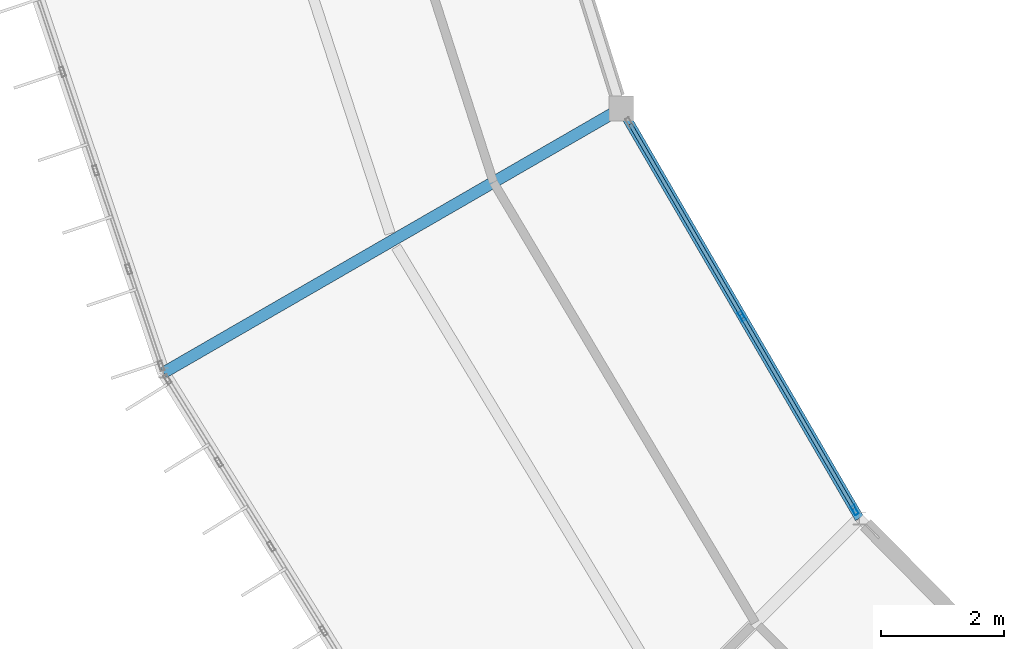
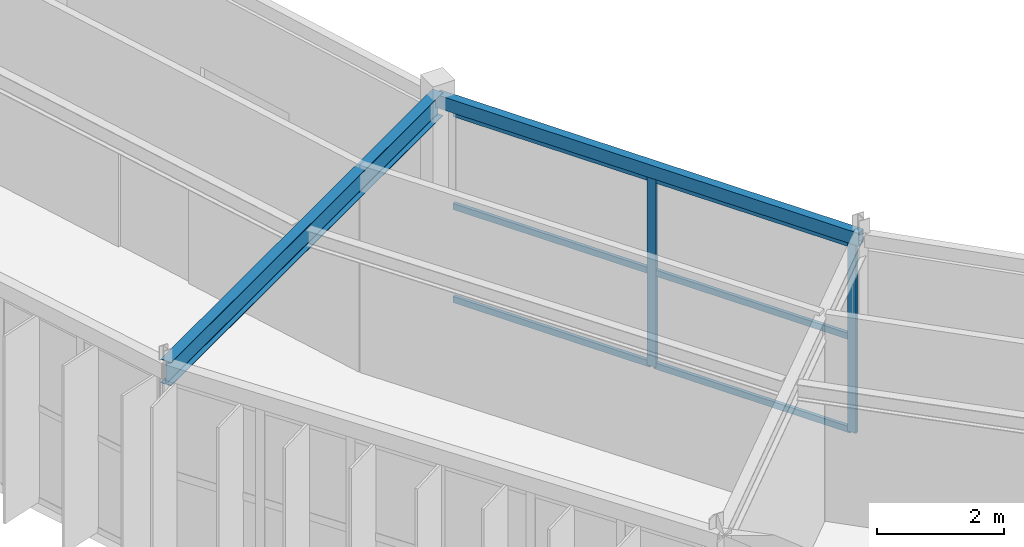
# One storey, part 25 of 130: 8 members, 2 beams, 1 element without a shape of its own.
"""IFC4 building model written with IfcOpenShell, lengths in metres."""

from ifc_helpers import new_model, si_unit, direction, frame, origin, origin_2d, place, context, subcontext, project, spatial, hollow_rectangle, i_section, extrude, material, material_profile, profile_set, type_object, element, aggregate, save


model = new_model("IFC4")

# Units and contexts
model_context = context("Model", 3, precision=1e-05, world=origin(), true_north=direction((0.0, 1.0)))
body_context = subcontext(model_context, "Body", "Model", "MODEL_VIEW")
ifc_project = project(units=[si_unit("LENGTHUNIT", "METRE"), si_unit("AREAUNIT", "SQUARE_METRE"), si_unit("VOLUMEUNIT", "CUBIC_METRE"), si_unit("PLANEANGLEUNIT", "RADIAN"), si_unit("MASSUNIT", "GRAM", prefix="KILO")], contexts=[model_context])

# Site, building, storey
site_placement = place(None, origin())
site = spatial("IfcSite", under=ifc_project, at=site_placement, CompositionType="ELEMENT")
building_placement = place(site_placement, origin())
building = spatial("IfcBuilding", under=site, at=building_placement, Name="Karori Crest Natural Sciences Institute", CompositionType="ELEMENT")
storey_placement = place(building_placement, frame((0.0, 0.0, 17.5)))
storey = spatial("IfcBuildingStorey", under=building, at=storey_placement, Name="L04", CompositionType="ELEMENT", Elevation=17.5)

# Beams
ifc_material_1 = material(Name="Hollow structural steel AS/NZS 1163 Grade C350", Category="steel")
ifc_material_profile_1 = material_profile(ifc_material_1, hollow_rectangle(XDim=0.14990234375, YDim=0.25, WallThickness=0.009033203125, at=origin_2d()), Name="RHS250x150x9")
ifc_profile_set_1 = profile_set([ifc_material_profile_1], Name="Hollow structural steel AS/NZS 1163 Grade C350")
beam_type_1 = type_object("IfcBeamType", Name="BT-16", PredefinedType="SPANDREL", material=ifc_profile_set_1)
beam_1_placement = place(storey_placement, frame((45.26904296875, 33.800048828125, 3.7900390625), z_axis=(0.502634759064, -0.86449887159, 0.0), x_axis=(0.86449887159, 0.502634759064, 0.0)))
element("IfcBeam", 1, at=beam_1_placement, inside=storey, type_object=beam_type_1, Name="Beam B-0503", PredefinedType="SPANDREL", context=body_context, shape_type="SweptSolid", body=[
    extrude(hollow_rectangle(XDim=0.14990234375, YDim=0.25, WallThickness=0.009033203125, at=origin_2d()), origin(), (0.0, 0.0, 1.0), 7.714111328125),
])
ifc_material_2 = material(Name="Structural steel AS/NZS 3679.1 Grade 350", Category="steel")
ifc_material_profile_2 = material_profile(ifc_material_2, i_section(OverallWidth=0.18994140625, OverallDepth=0.4541015625, WebThickness=0.008544921875, FlangeThickness=0.0126953125, FilletRadius=0.010986328125, at=origin_2d()), Name="460UB67.1")
ifc_profile_set_2 = profile_set([ifc_material_profile_2], Name="Structural steel AS/NZS 3679.1 Grade 350")
beam_type_2 = type_object("IfcBeamType", Name="BT-28", PredefinedType="BEAM", material=ifc_profile_set_2)
beam_2_placement = place(storey_placement, frame((45.26904296875, 33.800048828125, 3.712890625), z_axis=(-0.866021068297, -0.500007509209, 0.0), x_axis=(0.500007509209, -0.866021068297, 0.0)))
element("IfcBeam", 2, at=beam_2_placement, inside=storey, type_object=beam_type_2, Name="Beam B-0504", PredefinedType="BEAM", context=body_context, shape_type="SweptSolid", body=[
    extrude(i_section(OverallWidth=0.18994140625, OverallDepth=0.4541015625, WebThickness=0.008544921875, FlangeThickness=0.0126953125, FilletRadius=0.010986328125, at=origin_2d()), origin(), (0.0, 0.0, 1.0), 8.599853515625),
])

# Curtain wall, members
ifc_material_3 = material(Name="Anodised architectural aluminium 6063-T6", Category="aluminium")
curtain_wall_type = type_object("IfcCurtainWallType", Name="CWT-15", PredefinedType="NOTDEFINED", material=ifc_material_3)
curtain_wall_placement = place(storey_placement, origin())
curtain_wall = element("IfcCurtainWall", 3, at=curtain_wall_placement, inside=storey, type_object=curtain_wall_type, Name="Curtain wall CW-0158", PredefinedType="NOTDEFINED")
ifc_material_profile_3 = material_profile(ifc_material_3, hollow_rectangle(XDim=0.06494140625, YDim=0.159912109375, WallThickness=0.00390625, at=origin_2d()), Name="CWM160x65x4")
ifc_profile_set_3 = profile_set([ifc_material_profile_3], Name="Anodised architectural aluminium 6063-T6")
member_type_1 = type_object("IfcMemberType", Name="CWM-01", PredefinedType="MULLION", material=ifc_profile_set_3)
member_1_placement = place(storey_placement, frame((47.2353515625, 30.418212890625, 0.0), z_axis=(0.0, 0.0, 1.0), x_axis=(0.864487154971, 0.502654910341, 0.0)))
member_1 = element("IfcMember", 4, at=member_1_placement, type_object=member_type_1, Name="CW-0158 mullion 2", PredefinedType="MULLION", context=body_context, shape_type="SweptSolid", body=[
    extrude(hollow_rectangle(XDim=0.06494140625, YDim=0.159912109375, WallThickness=0.00390625, at=origin_2d()), origin(), (0.0, 0.0, 1.0), 3.64990234375),
])
member_2_placement = place(storey_placement, frame((49.070068359375, 27.2626953125, 0.0), z_axis=(0.0, 0.0, 1.0), x_axis=(0.864487154971, 0.502654910341, 0.0)))
member_2 = element("IfcMember", 5, at=member_2_placement, type_object=member_type_1, Name="CW-0158 mullion 3", PredefinedType="MULLION", context=body_context, shape_type="SweptSolid", body=[
    extrude(hollow_rectangle(XDim=0.06494140625, YDim=0.159912109375, WallThickness=0.00390625, at=origin_2d()), origin(), (0.0, 0.0, 1.0), 3.64990234375),
])
ifc_material_profile_4 = material_profile(ifc_material_3, hollow_rectangle(XDim=0.06005859375, YDim=0.1201171875, WallThickness=0.00390625, at=origin_2d()), Name="CWT120x60x4")
ifc_profile_set_4 = profile_set([ifc_material_profile_4], Name="Anodised architectural aluminium 6063-T6")
member_type_2 = type_object("IfcMemberType", Name="CWT-TR1", PredefinedType="USERDEFINED", material=ifc_profile_set_4)
member_3_placement = place(storey_placement, frame((45.4169921875, 33.54541015625, 0.030029296875), z_axis=(0.502659517686, -0.86448447602, 0.0), x_axis=(0.86448447602, 0.502659517686, 0.0)))
member_3 = element("IfcMember", 6, at=member_3_placement, type_object=member_type_2, Name="CW-0158 transom 1.1", ObjectType="TRANSOM", PredefinedType="USERDEFINED", context=body_context, shape_type="SweptSolid", body=[
    extrude(hollow_rectangle(XDim=0.06005859375, YDim=0.1201171875, WallThickness=0.00390625, at=origin_2d()), origin(), (0.0, 0.0, 1.0), 3.5849609375),
])
member_4_placement = place(storey_placement, frame((45.4169921875, 33.54541015625, 1.824951171875), z_axis=(0.502659517686, -0.86448447602, 0.0), x_axis=(0.86448447602, 0.502659517686, 0.0)))
member_4 = element("IfcMember", 7, at=member_4_placement, type_object=member_type_2, Name="CW-0158 transom 1.2", ObjectType="TRANSOM", PredefinedType="USERDEFINED", context=body_context, shape_type="SweptSolid", body=[
    extrude(hollow_rectangle(XDim=0.06005859375, YDim=0.1201171875, WallThickness=0.00390625, at=origin_2d()), origin(), (0.0, 0.0, 1.0), 3.5849609375),
])
member_5_placement = place(storey_placement, frame((45.4169921875, 33.54541015625, 3.6201171875), z_axis=(0.502659517686, -0.86448447602, 0.0), x_axis=(0.86448447602, 0.502659517686, 0.0)))
member_5 = element("IfcMember", 8, at=member_5_placement, type_object=member_type_2, Name="CW-0158 transom 1.3", ObjectType="TRANSOM", PredefinedType="USERDEFINED", context=body_context, shape_type="SweptSolid", body=[
    extrude(hollow_rectangle(XDim=0.06005859375, YDim=0.1201171875, WallThickness=0.00390625, at=origin_2d()), origin(), (0.0, 0.0, 1.0), 3.5849609375),
])
member_6_placement = place(storey_placement, frame((47.251708984375, 30.389892578125, 0.030029296875), z_axis=(0.502659517686, -0.86448447602, 0.0), x_axis=(0.86448447602, 0.502659517686, 0.0)))
member_6 = element("IfcMember", 9, at=member_6_placement, type_object=member_type_2, Name="CW-0158 transom 2.1", ObjectType="TRANSOM", PredefinedType="USERDEFINED", context=body_context, shape_type="SweptSolid", body=[
    extrude(hollow_rectangle(XDim=0.06005859375, YDim=0.1201171875, WallThickness=0.00390625, at=origin_2d()), origin(), (0.0, 0.0, 1.0), 3.5849609375),
])
member_7_placement = place(storey_placement, frame((47.251708984375, 30.389892578125, 1.824951171875), z_axis=(0.502659517686, -0.86448447602, 0.0), x_axis=(0.86448447602, 0.502659517686, 0.0)))
member_7 = element("IfcMember", 10, at=member_7_placement, type_object=member_type_2, Name="CW-0158 transom 2.2", ObjectType="TRANSOM", PredefinedType="USERDEFINED", context=body_context, shape_type="SweptSolid", body=[
    extrude(hollow_rectangle(XDim=0.06005859375, YDim=0.1201171875, WallThickness=0.00390625, at=origin_2d()), origin(), (0.0, 0.0, 1.0), 3.5849609375),
])
member_8_placement = place(storey_placement, frame((47.251708984375, 30.389892578125, 3.6201171875), z_axis=(0.502659517686, -0.86448447602, 0.0), x_axis=(0.86448447602, 0.502659517686, 0.0)))
member_8 = element("IfcMember", 11, at=member_8_placement, type_object=member_type_2, Name="CW-0158 transom 2.3", ObjectType="TRANSOM", PredefinedType="USERDEFINED", context=body_context, shape_type="SweptSolid", body=[
    extrude(hollow_rectangle(XDim=0.06005859375, YDim=0.1201171875, WallThickness=0.00390625, at=origin_2d()), origin(), (0.0, 0.0, 1.0), 3.5849609375),
])
aggregate(curtain_wall, [member_1, member_2, member_3, member_4, member_5, member_6, member_7, member_8])

save(model, "model.ifc")
